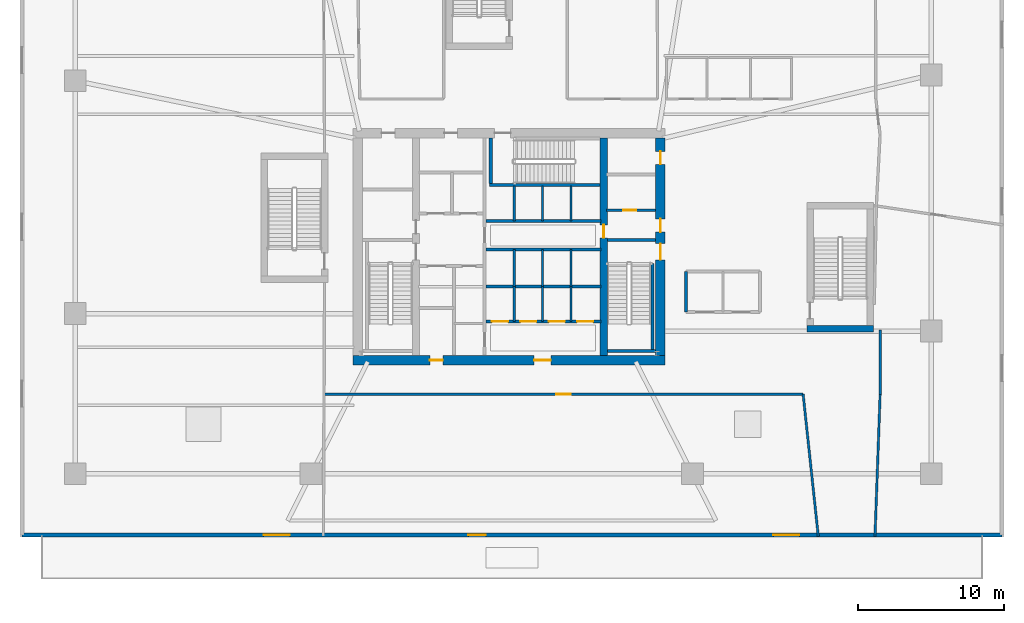
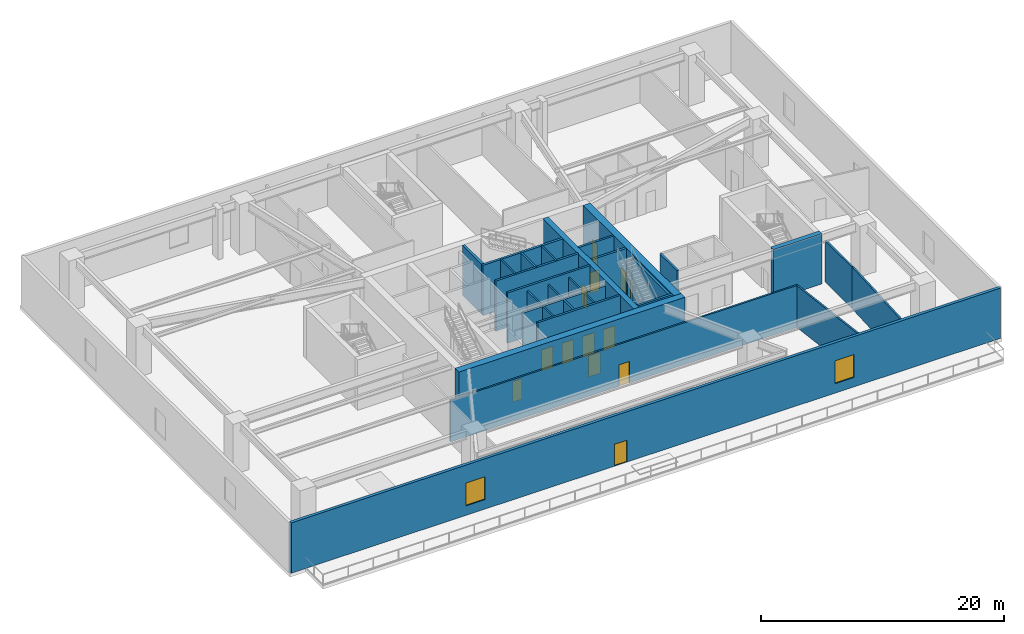
# One storey, part 5 of 11: 29 walls, 13 doors, 2 windows, 15 openings.
"""IFC4 building model written with IfcOpenShell, lengths in metres."""

from ifc_helpers import new_model, si_unit, direction, frame, frame_2d, origin, place, context, subcontext, project, spatial, rectangle, extrude, material, layer, layer_set, type_object, element, fill, save


model = new_model("IFC4")

# Units and contexts
model_context = context("Model", 3, precision=1e-05, world=origin(), true_north=direction((0.0, 1.0)))
body_context = subcontext(model_context, "Body", "Model", "MODEL_VIEW")
ifc_project = project(units=[si_unit("LENGTHUNIT", "METRE"), si_unit("AREAUNIT", "SQUARE_METRE"), si_unit("VOLUMEUNIT", "CUBIC_METRE"), si_unit("PLANEANGLEUNIT", "RADIAN"), si_unit("MASSUNIT", "GRAM", prefix="KILO")], contexts=[model_context])

# Site, building, storey
site_placement = place(None, origin())
site = spatial("IfcSite", under=ifc_project, at=site_placement, CompositionType="ELEMENT")
building_placement = place(site_placement, origin())
building = spatial("IfcBuilding", under=site, at=building_placement, Name="Qarnah Convention Tower", CompositionType="ELEMENT")
storey_placement = place(building_placement, frame((0.0, 0.0, 10.800048828125)))
storey = spatial("IfcBuildingStorey", under=building, at=storey_placement, Name="L02", CompositionType="ELEMENT", Elevation=10.800048828125)

# Wall, openings, doors
ifc_material_1 = material(Name="Concrete C60/75", Category="concrete")
ifc_layer_1 = layer(ifc_material_1, 0.64990234375)
ifc_layer_set_1 = layer_set([ifc_layer_1], Name="Concrete C60/75")
wall_type_1 = type_object("IfcWallType", Name="WL-CORE-650", PredefinedType="SHEAR", material=ifc_layer_set_1)
wall_1_placement = place(storey_placement, frame((26.47509765625, 18.60009765625, 0.0), z_axis=(0.0, 0.0, 1.0), x_axis=(1.0, 0.0, 0.0)))
wall_1 = element("IfcWall", 1, at=wall_1_placement, inside=storey, type_object=wall_type_1, Name="L02 core south shear wall", PredefinedType="SHEAR", context=body_context, shape_type="SweptSolid", body=[
    extrude(rectangle(XDim=21.449951171875, YDim=0.64990234375, at=frame_2d((10.72509765625, 0.0))), origin(), (0.0, 0.0, 1.0), 5.050048828125),
])
opening_1_placement = place(wall_1_placement, frame((12.449951171875, 0.0, 0.0)))
opening_1 = element("IfcOpeningElement", 2, at=opening_1_placement, cuts=wall_1, Name="Opening D-0207", PredefinedType="OPENING", context=body_context, shape_type="SweptSolid", body=[
    extrude(rectangle(XDim=1.14990234375, YDim=2.14990234375, at=frame_2d((0.574951171875, 1.074951171875))), frame((0.0, 0.3349609375, 0.0), z_axis=(0.0, -1.0, 0.0), x_axis=(1.0, 0.0, 0.0)), (0.0, 0.0, 1.0), 0.669921875),
])
opening_2_placement = place(wall_1_placement, frame((5.27490234375, 0.0, 0.0)))
opening_2 = element("IfcOpeningElement", 3, at=opening_2_placement, cuts=wall_1, Name="Opening D-0213", PredefinedType="OPENING", context=body_context, shape_type="SweptSolid", body=[
    extrude(rectangle(XDim=0.89990234375, YDim=2.10009765625, at=frame_2d((0.449951171875, 1.050048828125))), frame((0.0, 0.3349609375, 0.0), z_axis=(0.0, -1.0, 0.0), x_axis=(1.0, 0.0, 0.0)), (0.0, 0.0, 1.0), 0.669921875),
])
ifc_material_2 = material(Name="Structural steel S355JR", Category="steel")
door_type_1 = type_object("IfcDoorType", Name="DT-LOBBY-1150", OperationType="NOTDEFINED", PredefinedType="DOOR", material=ifc_material_2)
door_1_placement = place(opening_1_placement, origin())
door_1 = element("IfcDoor", 4, at=door_1_placement, inside=storey, type_object=door_type_1, Name="Door D-0207", OperationType="SINGLE_SWING_RIGHT", OverallHeight=2.14990234375, OverallWidth=1.14990234375, PredefinedType="DOOR", context=body_context, shape_type="SweptSolid", body=[
    extrude(rectangle(XDim=1.14990234375, YDim=2.14990234375, at=frame_2d((0.574951171875, 1.074951171875))), frame((0.0, 0.02490234375, 0.0), z_axis=(0.0, -1.0, 0.0), x_axis=(1.0, 0.0, 0.0)), (0.0, 0.0, 1.0), 0.050048828125),
])
fill(opening_1, door_1)
door_type_2 = type_object("IfcDoorType", Name="DT-RISER-900", OperationType="NOTDEFINED", PredefinedType="DOOR", material=ifc_material_2)
door_2_placement = place(opening_2_placement, origin())
door_2 = element("IfcDoor", 5, at=door_2_placement, inside=storey, type_object=door_type_2, Name="Door D-0213", OperationType="SINGLE_SWING_RIGHT", OverallHeight=2.10009765625, OverallWidth=0.89990234375, PredefinedType="DOOR", context=body_context, shape_type="SweptSolid", body=[
    extrude(rectangle(XDim=0.89990234375, YDim=2.10009765625, at=frame_2d((0.449951171875, 1.050048828125))), frame((0.0, 0.02490234375, 0.0), z_axis=(0.0, -1.0, 0.0), x_axis=(1.0, 0.0, 0.0)), (0.0, 0.0, 1.0), 0.050048828125),
])
fill(opening_2, door_2)

wall_2_placement = place(storey_placement, frame((47.60009765625, 18.925048828125, 0.0), z_axis=(0.0, 0.0, 1.0), x_axis=(0.0, 1.0, 0.0)))
wall_2 = element("IfcWall", 6, at=wall_2_placement, inside=storey, type_object=wall_type_1, Name="L02 core east shear wall", PredefinedType="SHEAR", context=body_context, shape_type="SweptSolid", body=[
    extrude(rectangle(XDim=14.949951171875, YDim=0.64990234375, at=frame_2d((7.47509765625, 0.0))), origin(), (0.0, 0.0, 1.0), 5.050048828125),
])
opening_3_placement = place(wall_2_placement, frame((6.574951171875, 0.0, 0.0)))
opening_3 = element("IfcOpeningElement", 7, at=opening_3_placement, cuts=wall_2, Name="Opening D-0202", PredefinedType="OPENING", context=body_context, shape_type="SweptSolid", body=[
    extrude(rectangle(XDim=1.10009765625, YDim=2.14990234375, at=frame_2d((0.550048828125, 1.074951171875))), frame((0.0, 0.3349609375, 0.0), z_axis=(0.0, -1.0, 0.0), x_axis=(1.0, 0.0, 0.0)), (0.0, 0.0, 1.0), 0.669921875),
])
opening_4_placement = place(wall_2_placement, frame((8.47509765625, 0.0, 0.0)))
opening_4 = element("IfcOpeningElement", 8, at=opening_4_placement, cuts=wall_2, Name="Opening D-0206", PredefinedType="OPENING", context=body_context, shape_type="SweptSolid", body=[
    extrude(rectangle(XDim=0.89990234375, YDim=2.10009765625, at=frame_2d((0.449951171875, 1.050048828125))), frame((0.0, 0.3349609375, 0.0), z_axis=(0.0, -1.0, 0.0), x_axis=(1.0, 0.0, 0.0)), (0.0, 0.0, 1.0), 0.669921875),
])
opening_5_placement = place(wall_2_placement, frame((13.125, 0.0, 0.0)))
opening_5 = element("IfcOpeningElement", 9, at=opening_5_placement, cuts=wall_2, Name="Opening D-0212", PredefinedType="OPENING", context=body_context, shape_type="SweptSolid", body=[
    extrude(rectangle(XDim=0.89990234375, YDim=2.10009765625, at=frame_2d((0.449951171875, 1.050048828125))), frame((0.0, 0.3349609375, 0.0), z_axis=(0.0, -1.0, 0.0), x_axis=(1.0, 0.0, 0.0)), (0.0, 0.0, 1.0), 0.669921875),
])
door_3_placement = place(opening_4_placement, origin())
door_3 = element("IfcDoor", 10, at=door_3_placement, inside=storey, type_object=door_type_2, Name="Door D-0206", OperationType="SINGLE_SWING_LEFT", OverallHeight=2.10009765625, OverallWidth=0.89990234375, PredefinedType="DOOR", context=body_context, shape_type="SweptSolid", body=[
    extrude(rectangle(XDim=0.89990234375, YDim=2.10009765625, at=frame_2d((0.449951171875, 1.050048828125))), frame((0.0, 0.02490234375, 0.0), z_axis=(0.0, -1.0, 0.0), x_axis=(1.0, 0.0, 0.0)), (0.0, 0.0, 1.0), 0.050048828125),
])
fill(opening_4, door_3)
door_4_placement = place(opening_5_placement, origin())
door_4 = element("IfcDoor", 11, at=door_4_placement, inside=storey, type_object=door_type_2, Name="Door D-0212", OperationType="SINGLE_SWING_LEFT", OverallHeight=2.10009765625, OverallWidth=0.89990234375, PredefinedType="DOOR", context=body_context, shape_type="SweptSolid", body=[
    extrude(rectangle(XDim=0.89990234375, YDim=2.10009765625, at=frame_2d((0.449951171875, 1.050048828125))), frame((0.0, 0.02490234375, 0.0), z_axis=(0.0, -1.0, 0.0), x_axis=(1.0, 0.0, 0.0)), (0.0, 0.0, 1.0), 0.050048828125),
])
fill(opening_5, door_4)
door_type_3 = type_object("IfcDoorType", Name="DT-STAIR-1100", OperationType="NOTDEFINED", PredefinedType="DOOR", material=ifc_material_2)
door_5_placement = place(opening_3_placement, origin())
door_5 = element("IfcDoor", 12, at=door_5_placement, inside=storey, type_object=door_type_3, Name="Door D-0202", OperationType="SINGLE_SWING_LEFT", OverallHeight=2.14990234375, OverallWidth=1.10009765625, PredefinedType="DOOR", context=body_context, shape_type="SweptSolid", body=[
    extrude(rectangle(XDim=1.10009765625, YDim=2.14990234375, at=frame_2d((0.550048828125, 1.074951171875))), frame((0.0, 0.02490234375, 0.0), z_axis=(0.0, -1.0, 0.0), x_axis=(1.0, 0.0, 0.0)), (0.0, 0.0, 1.0), 0.050048828125),
])
fill(opening_3, door_5)

# Wall, opening, door
ifc_layer_2 = layer(ifc_material_1, 0.5)
ifc_layer_set_2 = layer_set([ifc_layer_2], Name="Concrete C60/75")
wall_type_2 = type_object("IfcWallType", Name="WL-CORE-INT-400", PredefinedType="SHEAR", material=ifc_layer_set_2)
wall_3_placement = place(storey_placement, frame((43.699951171875, 18.925048828125, 0.0), z_axis=(0.0, 0.0, 1.0), x_axis=(0.0, 1.0, 0.0)))
wall_3 = element("IfcWall", 13, at=wall_3_placement, inside=storey, type_object=wall_type_2, Name="L02 core east spine shear wall", PredefinedType="SHEAR", context=body_context, shape_type="SweptSolid", body=[
    extrude(rectangle(XDim=14.949951171875, YDim=0.5, at=frame_2d((7.47509765625, 0.0))), origin(), (0.0, 0.0, 1.0), 5.050048828125),
])
opening_6_placement = place(wall_3_placement, frame((8.074951171875, 0.0, 0.0)))
opening_6 = element("IfcOpeningElement", 14, at=opening_6_placement, cuts=wall_3, Name="Opening D-0205", PredefinedType="OPENING", context=body_context, shape_type="SweptSolid", body=[
    extrude(rectangle(XDim=0.89990234375, YDim=2.10009765625, at=frame_2d((0.449951171875, 1.050048828125))), frame((0.0, 0.260009765625, 0.0), z_axis=(0.0, -1.0, 0.0), x_axis=(1.0, 0.0, 0.0)), (0.0, 0.0, 1.0), 0.52001953125),
])
door_6_placement = place(opening_6_placement, origin())
door_6 = element("IfcDoor", 15, at=door_6_placement, inside=storey, type_object=door_type_2, Name="Door D-0205", OperationType="SINGLE_SWING_RIGHT", OverallHeight=2.10009765625, OverallWidth=0.89990234375, PredefinedType="DOOR", context=body_context, shape_type="SweptSolid", body=[
    extrude(rectangle(XDim=0.89990234375, YDim=2.10009765625, at=frame_2d((0.449951171875, 1.050048828125))), frame((0.0, 0.02490234375, 0.0), z_axis=(0.0, -1.0, 0.0), x_axis=(1.0, 0.0, 0.0)), (0.0, 0.0, 1.0), 0.050048828125),
])
fill(opening_6, door_6)

ifc_material_3 = material(Name="Concrete C45/55", Category="concrete")
ifc_layer_3 = layer(ifc_material_3, 0.199951171875)
ifc_layer_set_3 = layer_set([ifc_layer_3], Name="Concrete C45/55")
wall_type_3 = type_object("IfcWallType", Name="WL-CORE-PART-200", PredefinedType="SOLIDWALL", material=ifc_layer_set_3)
wall_4_placement = place(storey_placement, frame((43.89990234375, 28.89990234375, 0.0), z_axis=(0.0, 0.0, 1.0), x_axis=(1.0, 0.0, 0.0)))
wall_4 = element("IfcWall", 16, at=wall_4_placement, inside=storey, type_object=wall_type_3, Name="L02 interior wall IW-L02-EVSTN", PredefinedType="SOLIDWALL", context=body_context, shape_type="SweptSolid", body=[
    extrude(rectangle(XDim=3.35009765625, YDim=0.199951171875, at=frame_2d((1.675048828125, 0.0))), origin(), (0.0, 0.0, 1.0), 5.050048828125),
])
opening_7_placement = place(wall_4_placement, frame((1.14990234375, 0.0, 0.0)))
opening_7 = element("IfcOpeningElement", 17, at=opening_7_placement, cuts=wall_4, Name="Opening D-0211", PredefinedType="OPENING", context=body_context, shape_type="SweptSolid", body=[
    extrude(rectangle(XDim=0.89990234375, YDim=2.10009765625, at=frame_2d((0.449951171875, 1.050048828125))), frame((0.0, 0.10986328125, 0.0), z_axis=(0.0, -1.0, 0.0), x_axis=(1.0, 0.0, 0.0)), (0.0, 0.0, 1.0), 0.219970703125),
])
door_7_placement = place(opening_7_placement, origin())
door_7 = element("IfcDoor", 18, at=door_7_placement, inside=storey, type_object=door_type_2, Name="Door D-0211", OperationType="SINGLE_SWING_RIGHT", OverallHeight=2.10009765625, OverallWidth=0.89990234375, PredefinedType="DOOR", context=body_context, shape_type="SweptSolid", body=[
    extrude(rectangle(XDim=0.89990234375, YDim=2.10009765625, at=frame_2d((0.449951171875, 1.050048828125))), frame((0.0, 0.02490234375, 0.0), z_axis=(0.0, -1.0, 0.0), x_axis=(1.0, 0.0, 0.0)), (0.0, 0.0, 1.0), 0.050048828125),
])
fill(opening_7, door_7)

# Walls
for number, where, z_axis, x_axis, name in (
    (19, (35.6201171875, 28.14990234375, 0.0), (0.0, 0.0, 1.0), (1.0, 0.0, 0.0), "L02 interior wall IW-L02-PHS"),
    (20, (35.6201171875, 26.199951171875, 0.0), (0.0, 0.0, 1.0), (1.0, 0.0, 0.0), "L02 interior wall IW-L02-PMN"),
):
    element("IfcWall", number, at=place(storey_placement, frame(where, z_axis=z_axis, x_axis=x_axis)), inside=storey, type_object=wall_type_3, Name=name, PredefinedType="SOLIDWALL", context=body_context, shape_type="SweptSolid", body=[
        extrude(rectangle(XDim=7.8798828125, YDim=0.199951171875, at=frame_2d((3.93994140625, 0.0))), origin(), (0.0, 0.0, 1.0), 5.050048828125),
    ])
wall_5_placement = place(storey_placement, frame((35.6201171875, 23.64990234375, 0.0), z_axis=(0.0, 0.0, 1.0), x_axis=(1.0, 0.0, 0.0)))
element("IfcWall", 21, at=wall_5_placement, inside=storey, type_object=wall_type_3, Name="L02 interior wall IW-L02-PMPL", PredefinedType="SOLIDWALL", context=body_context, shape_type="SweptSolid", body=[
    extrude(rectangle(XDim=7.8798828125, YDim=0.199951171875, at=frame_2d((3.93994140625, 0.0))), origin(), (0.0, 0.0, 1.0), 4.571044921875),
])

# Wall, openings, doors
wall_6_placement = place(storey_placement, frame((35.6201171875, 21.25, 0.0), z_axis=(0.0, 0.0, 1.0), x_axis=(1.0, 0.0, 0.0)))
wall_6 = element("IfcWall", 22, at=wall_6_placement, inside=storey, type_object=wall_type_3, Name="L02 interior wall IW-L02-PLS", PredefinedType="SOLIDWALL", context=body_context, shape_type="SweptSolid", body=[
    extrude(rectangle(XDim=7.8798828125, YDim=0.199951171875, at=frame_2d((3.93994140625, 0.0))), origin(), (0.0, 0.0, 1.0), 5.050048828125),
])
opening_8_placement = place(wall_6_placement, frame((0.405029296875, 0.0, 0.0)))
opening_8 = element("IfcOpeningElement", 23, at=opening_8_placement, cuts=wall_6, Name="Opening LD-0204", PredefinedType="OPENING", context=body_context, shape_type="SweptSolid", body=[
    extrude(rectangle(XDim=1.10009765625, YDim=2.14990234375, at=frame_2d((0.550048828125, 1.074951171875))), frame((0.0, 0.10986328125, 0.0), z_axis=(0.0, -1.0, 0.0), x_axis=(1.0, 0.0, 0.0)), (0.0, 0.0, 1.0), 0.219970703125),
])
opening_9_placement = place(wall_6_placement, frame((2.35498046875, 0.0, 0.0)))
opening_9 = element("IfcOpeningElement", 24, at=opening_9_placement, cuts=wall_6, Name="Opening LD-0205", PredefinedType="OPENING", context=body_context, shape_type="SweptSolid", body=[
    extrude(rectangle(XDim=1.10009765625, YDim=2.14990234375, at=frame_2d((0.550048828125, 1.074951171875))), frame((0.0, 0.10986328125, 0.0), z_axis=(0.0, -1.0, 0.0), x_axis=(1.0, 0.0, 0.0)), (0.0, 0.0, 1.0), 0.219970703125),
])
opening_10_placement = place(wall_6_placement, frame((4.304931640625, 0.0, 0.0)))
opening_10 = element("IfcOpeningElement", 25, at=opening_10_placement, cuts=wall_6, Name="Opening LD-0206", PredefinedType="OPENING", context=body_context, shape_type="SweptSolid", body=[
    extrude(rectangle(XDim=1.10009765625, YDim=2.14990234375, at=frame_2d((0.550048828125, 1.074951171875))), frame((0.0, 0.10986328125, 0.0), z_axis=(0.0, -1.0, 0.0), x_axis=(1.0, 0.0, 0.0)), (0.0, 0.0, 1.0), 0.219970703125),
])
opening_11_placement = place(wall_6_placement, frame((6.2548828125, 0.0, 0.0)))
opening_11 = element("IfcOpeningElement", 26, at=opening_11_placement, cuts=wall_6, Name="Opening LD-0207", PredefinedType="OPENING", context=body_context, shape_type="SweptSolid", body=[
    extrude(rectangle(XDim=1.10009765625, YDim=2.14990234375, at=frame_2d((0.550048828125, 1.074951171875))), frame((0.0, 0.10986328125, 0.0), z_axis=(0.0, -1.0, 0.0), x_axis=(1.0, 0.0, 0.0)), (0.0, 0.0, 1.0), 0.219970703125),
])
door_type_4 = type_object("IfcDoorType", Name="DT-LIFT-1100", OperationType="SLIDING_TO_LEFT", PredefinedType="DOOR", material=ifc_material_2)
door_8_placement = place(opening_8_placement, origin())
door_8 = element("IfcDoor", 27, at=door_8_placement, inside=storey, type_object=door_type_4, Name="Door LD-0204", OperationType="SLIDING_TO_LEFT", OverallHeight=2.14990234375, OverallWidth=1.10009765625, PredefinedType="DOOR", context=body_context, shape_type="SweptSolid", body=[
    extrude(rectangle(XDim=1.10009765625, YDim=2.14990234375, at=frame_2d((0.550048828125, 1.074951171875))), frame((0.0, 0.02490234375, 0.0), z_axis=(0.0, -1.0, 0.0), x_axis=(1.0, 0.0, 0.0)), (0.0, 0.0, 1.0), 0.050048828125),
])
fill(opening_8, door_8)
door_9_placement = place(opening_9_placement, origin())
door_9 = element("IfcDoor", 28, at=door_9_placement, inside=storey, type_object=door_type_4, Name="Door LD-0205", OperationType="SLIDING_TO_LEFT", OverallHeight=2.14990234375, OverallWidth=1.10009765625, PredefinedType="DOOR", context=body_context, shape_type="SweptSolid", body=[
    extrude(rectangle(XDim=1.10009765625, YDim=2.14990234375, at=frame_2d((0.550048828125, 1.074951171875))), frame((0.0, 0.02490234375, 0.0), z_axis=(0.0, -1.0, 0.0), x_axis=(1.0, 0.0, 0.0)), (0.0, 0.0, 1.0), 0.050048828125),
])
fill(opening_9, door_9)
door_10_placement = place(opening_10_placement, origin())
door_10 = element("IfcDoor", 29, at=door_10_placement, inside=storey, type_object=door_type_4, Name="Door LD-0206", OperationType="SLIDING_TO_LEFT", OverallHeight=2.14990234375, OverallWidth=1.10009765625, PredefinedType="DOOR", context=body_context, shape_type="SweptSolid", body=[
    extrude(rectangle(XDim=1.10009765625, YDim=2.14990234375, at=frame_2d((0.550048828125, 1.074951171875))), frame((0.0, 0.02490234375, 0.0), z_axis=(0.0, -1.0, 0.0), x_axis=(1.0, 0.0, 0.0)), (0.0, 0.0, 1.0), 0.050048828125),
])
fill(opening_10, door_10)
door_11_placement = place(opening_11_placement, origin())
door_11 = element("IfcDoor", 30, at=door_11_placement, inside=storey, type_object=door_type_4, Name="Door LD-0207", OperationType="SLIDING_TO_LEFT", OverallHeight=2.14990234375, OverallWidth=1.10009765625, PredefinedType="DOOR", context=body_context, shape_type="SweptSolid", body=[
    extrude(rectangle(XDim=1.10009765625, YDim=2.14990234375, at=frame_2d((0.550048828125, 1.074951171875))), frame((0.0, 0.02490234375, 0.0), z_axis=(0.0, -1.0, 0.0), x_axis=(1.0, 0.0, 0.0)), (0.0, 0.0, 1.0), 0.050048828125),
])
fill(opening_11, door_11)

# Walls
wall_7_placement = place(storey_placement, frame((49.35009765625, 21.89990234375, 0.0), z_axis=(0.0, 0.0, 1.0), x_axis=(0.0, 1.0, 0.0)))
element("IfcWall", 31, at=wall_7_placement, inside=storey, type_object=wall_type_3, Name="L02 interior wall IW-L02-PSW", PredefinedType="SOLIDWALL", context=body_context, shape_type="SweptSolid", body=[
    extrude(rectangle(XDim=2.800048828125, YDim=0.199951171875, at=frame_2d((1.39990234375, 0.0))), origin(), (0.0, 0.0, 1.0), 5.050048828125),
])
ifc_layer_4 = layer(ifc_material_1, 0.219970703125)
ifc_layer_set_4 = layer_set([ifc_layer_4], Name="Concrete C60/75")
wall_type_4 = type_object("IfcWallType", Name="WL-CORE-STAIR-220", PredefinedType="SHEAR", material=ifc_layer_set_4)
wall_8_placement = place(storey_placement, frame((43.949951171875, 26.860107421875, 0.0), z_axis=(0.0, 0.0, 1.0), x_axis=(1.0, 0.0, 0.0)))
element("IfcWall", 32, at=wall_8_placement, inside=storey, type_object=wall_type_4, Name="L02 stair shaft shear wall SW-L02-ST2N", PredefinedType="SHEAR", context=body_context, shape_type="SweptSolid", body=[
    extrude(rectangle(XDim=3.324951171875, YDim=0.219970703125, at=frame_2d((1.66259765625, 0.0))), origin(), (0.0, 0.0, 1.0), 5.050048828125),
])
wall_9_placement = place(storey_placement, frame((47.06005859375, 19.35009765625, 0.0), z_axis=(0.0, 0.0, 1.0), x_axis=(0.0, 1.0, 0.0)))
element("IfcWall", 33, at=wall_9_placement, inside=storey, type_object=wall_type_4, Name="L02 stair shaft shear wall SW-L02-ST2E", PredefinedType="SHEAR", context=body_context, shape_type="SweptSolid", body=[
    extrude(rectangle(XDim=5.89990234375, YDim=0.219970703125, at=frame_2d((2.949951171875, 0.0))), origin(), (0.0, 0.0, 1.0), 5.050048828125),
])
wall_10_placement = place(storey_placement, frame((43.949951171875, 19.239990234375, 0.0), z_axis=(0.0, 0.0, 1.0), x_axis=(1.0, 0.0, 0.0)))
element("IfcWall", 34, at=wall_10_placement, inside=storey, type_object=wall_type_4, Name="L02 stair shaft shear wall SW-L02-ST2S", PredefinedType="SHEAR", context=body_context, shape_type="SweptSolid", body=[
    extrude(rectangle(XDim=3.324951171875, YDim=0.219970703125, at=frame_2d((1.66259765625, 0.0))), origin(), (0.0, 0.0, 1.0), 5.050048828125),
])
wall_11_placement = place(storey_placement, frame((35.840087890625, 30.639892578125, 0.0), z_axis=(0.0, 0.0, 1.0), x_axis=(1.0, 0.0, 0.0)))
element("IfcWall", 35, at=wall_11_placement, inside=storey, type_object=wall_type_4, Name="L02 stair shaft shear wall SW-L02-ST3S", PredefinedType="SHEAR", context=body_context, shape_type="SweptSolid", body=[
    extrude(rectangle(XDim=7.60986328125, YDim=0.219970703125, at=frame_2d((3.804931640625, 0.0))), origin(), (0.0, 0.0, 1.0), 5.050048828125),
])
wall_12_placement = place(storey_placement, frame((35.93994140625, 30.75, 0.0), z_axis=(0.0, 0.0, 1.0), x_axis=(0.0, 1.0, 0.0)))
element("IfcWall", 36, at=wall_12_placement, inside=storey, type_object=wall_type_4, Name="L02 stair shaft shear wall SW-L02-ST3W", PredefinedType="SHEAR", context=body_context, shape_type="SweptSolid", body=[
    extrude(rectangle(XDim=3.125, YDim=0.219970703125, at=frame_2d((1.5625, 0.0))), origin(), (0.0, 0.0, 1.0), 5.050048828125),
])
ifc_material_4 = material(Name="Gypsum partition board")
ifc_layer_5 = layer(ifc_material_4, 0.159912109375)
ifc_layer_set_5 = layer_set([ifc_layer_5], Name="Gypsum partition board")
wall_type_5 = type_object("IfcWallType", Name="WL-CORR-160", PredefinedType="PARTITIONING", material=ifc_layer_set_5)
wall_13_placement = place(storey_placement, frame((58.44189453125, 6.5048828125, 0.0), z_axis=(0.0, 0.0, 1.0), x_axis=(-0.106210644154, 0.9943436524, 0.0)))
element("IfcWall", 37, at=wall_13_placement, inside=storey, type_object=wall_type_5, Name="L02 interior wall IW-L02-R-13", PredefinedType="PARTITIONING", context=body_context, shape_type="SweptSolid", body=[
    extrude(rectangle(XDim=9.810546875, YDim=0.159912109375, at=frame_2d((4.9052734375, 0.0))), origin(), (0.0, 0.0, 1.0), 4.19091796875),
])

# Wall, opening, door
wall_14_placement = place(storey_placement, frame((57.39990234375, 16.260009765625, 0.0), z_axis=(0.0, 0.0, 1.0), x_axis=(-0.99999999956, 2.967205e-05, 0.0)))
wall_14 = element("IfcWall", 38, at=wall_14_placement, inside=storey, type_object=wall_type_5, Name="L02 interior wall IW-L02-R-14", PredefinedType="PARTITIONING", context=body_context, shape_type="SweptSolid", body=[
    extrude(rectangle(XDim=32.911865234375, YDim=0.159912109375, at=frame_2d((16.4560546875, 0.0))), origin(), (0.0, 0.0, 1.0), 4.202880859375),
])
opening_12_placement = place(wall_14_placement, frame((15.9560546875, 0.0, 0.0)))
opening_12 = element("IfcOpeningElement", 39, at=opening_12_placement, cuts=wall_14, Name="Opening D-0223", PredefinedType="OPENING", context=body_context, shape_type="SweptSolid", body=[
    extrude(rectangle(XDim=1.0, YDim=2.14990234375, at=frame_2d((0.5, 1.074951171875))), frame((0.0, 0.08984375, 0.0), z_axis=(0.0, -1.0, 0.0), x_axis=(1.0, 0.0, 0.0)), (0.0, 0.0, 1.0), 0.179931640625),
])
ifc_material_5 = material(Name="Oak timber veneer", Category="wood")
door_type_5 = type_object("IfcDoorType", Name="DT-OFFICE-1000", OperationType="NOTDEFINED", PredefinedType="DOOR", material=ifc_material_5)
door_12_placement = place(opening_12_placement, origin())
door_12 = element("IfcDoor", 40, at=door_12_placement, inside=storey, type_object=door_type_5, Name="Door D-0223", OperationType="SINGLE_SWING_LEFT", OverallHeight=2.14990234375, OverallWidth=1.0, PredefinedType="DOOR", context=body_context, shape_type="SweptSolid", body=[
    extrude(rectangle(XDim=1.0, YDim=2.14990234375, at=frame_2d((0.5, 1.074951171875))), frame((0.0, 0.02490234375, 0.0), z_axis=(0.0, -1.0, 0.0), x_axis=(1.0, 0.0, 0.0)), (0.0, 0.0, 1.0), 0.050048828125),
])
fill(opening_12, door_12)

# Walls
wall_15_placement = place(storey_placement, frame((62.68994140625, 20.68994140625, 0.0), z_axis=(0.0, 0.0, 1.0), x_axis=(0.0, -1.0, 0.0)))
element("IfcWall", 41, at=wall_15_placement, inside=storey, type_object=wall_type_5, Name="L02 interior wall IW-L02-R-17", PredefinedType="PARTITIONING", context=body_context, shape_type="SweptSolid", body=[
    extrude(rectangle(XDim=4.429931640625, YDim=0.159912109375, at=frame_2d((2.21484375, 0.0))), origin(), (0.0, 0.0, 1.0), 4.135009765625),
])
wall_16_placement = place(storey_placement, frame((62.68994140625, 16.260009765625, 0.0), z_axis=(0.0, 0.0, 1.0), x_axis=(-0.036147159792, -0.999346477874, 0.0)))
element("IfcWall", 42, at=wall_16_placement, inside=storey, type_object=wall_type_5, Name="L02 interior wall IW-L02-R-18", PredefinedType="PARTITIONING", context=body_context, shape_type="SweptSolid", body=[
    extrude(rectangle(XDim=9.766357421875, YDim=0.159912109375, at=frame_2d((4.88330078125, 0.0))), origin(), (0.0, 0.0, 1.0), 4.19091796875),
])

# Wall, openings, door, windows
ifc_material_6 = material(Name="Precast concrete C45/55", Category="concrete")
ifc_layer_6 = layer(ifc_material_6, 0.280029296875)
ifc_layer_set_6 = layer_set([ifc_layer_6], Name="Precast concrete C45/55")
wall_type_6 = type_object("IfcWallType", Name="WL-EXT-POD-280", PredefinedType="SOLIDWALL", material=ifc_layer_set_6)
wall_17_placement = place(storey_placement, frame((71.06005859375, 6.590087890625, 0.0), z_axis=(0.0, 0.0, 1.0), x_axis=(-1.0, 0.0, 0.0)))
wall_17 = element("IfcWall", 43, at=wall_17_placement, inside=storey, type_object=wall_type_6, Name="L02 precast facade wall S", PredefinedType="SOLIDWALL", context=body_context, shape_type="SweptSolid", body=[
    extrude(rectangle(XDim=67.320068359375, YDim=0.280029296875, at=frame_2d((33.66015625, 0.0))), origin(), (0.0, 0.0, 1.0), 5.050048828125),
])
opening_13_placement = place(wall_17_placement, frame((13.909912109375, 0.0, 0.949951171875)))
opening_13 = element("IfcOpeningElement", 44, at=opening_13_placement, cuts=wall_17, Name="Opening WN2", PredefinedType="OPENING", context=body_context, shape_type="SweptSolid", body=[
    extrude(rectangle(XDim=1.800048828125, YDim=2.300048828125, at=frame_2d((0.89990234375, 1.14990234375))), frame((0.0, 0.14990234375, 0.0), z_axis=(0.0, -1.0, 0.0), x_axis=(1.0, 0.0, 0.0)), (0.0, 0.0, 1.0), 0.300048828125),
])
opening_14_placement = place(wall_17_placement, frame((48.9169921875, 0.0, 0.949951171875)))
opening_14 = element("IfcOpeningElement", 45, at=opening_14_placement, cuts=wall_17, Name="Opening WN2", PredefinedType="OPENING", context=body_context, shape_type="SweptSolid", body=[
    extrude(rectangle(XDim=1.800048828125, YDim=2.300048828125, at=frame_2d((0.89990234375, 1.14990234375))), frame((0.0, 0.14990234375, 0.0), z_axis=(0.0, -1.0, 0.0), x_axis=(1.0, 0.0, 0.0)), (0.0, 0.0, 1.0), 0.300048828125),
])
opening_15_placement = place(wall_17_placement, frame((35.4599609375, 0.0, 0.0)))
opening_15 = element("IfcOpeningElement", 46, at=opening_15_placement, cuts=wall_17, Name="Opening TD-0201", PredefinedType="OPENING", context=body_context, shape_type="SweptSolid", body=[
    extrude(rectangle(XDim=1.199951171875, YDim=2.199951171875, at=frame_2d((0.60009765625, 1.10009765625))), frame((0.0, 0.14990234375, 0.0), z_axis=(0.0, -1.0, 0.0), x_axis=(1.0, 0.0, 0.0)), (0.0, 0.0, 1.0), 0.300048828125),
])
ifc_material_7 = material(Name="Black anodised aluminium", Category="aluminium")
door_type_6 = type_object("IfcDoorType", Name="DT-TER-1200", OperationType="NOTDEFINED", PredefinedType="DOOR", material=ifc_material_7)
door_13_placement = place(opening_15_placement, origin())
door_13 = element("IfcDoor", 47, at=door_13_placement, inside=storey, type_object=door_type_6, Name="L02 podium terrace access door", OperationType="SINGLE_SWING_RIGHT", OverallHeight=2.199951171875, OverallWidth=1.199951171875, PredefinedType="DOOR", context=body_context, shape_type="SweptSolid", body=[
    extrude(rectangle(XDim=1.199951171875, YDim=2.199951171875, at=frame_2d((0.60009765625, 1.10009765625))), frame((0.0, 0.02490234375, 0.0), z_axis=(0.0, -1.0, 0.0), x_axis=(1.0, 0.0, 0.0)), (0.0, 0.0, 1.0), 0.050048828125),
])
fill(opening_15, door_13)
ifc_material_8 = material(Name="Tempered Low-E dark glass", Category="glass")
window_type = type_object("IfcWindowType", Name="WT-POD-1800X2400", PartitioningType="SINGLE_PANEL", PredefinedType="WINDOW", material=ifc_material_8)
window_1_placement = place(opening_13_placement, origin())
window_1 = element("IfcWindow", 48, at=window_1_placement, inside=storey, type_object=window_type, Name="Window WIN-L02-S1", OverallHeight=2.300048828125, OverallWidth=1.800048828125, PartitioningType="SINGLE_PANEL", PredefinedType="WINDOW", context=body_context, shape_type="SweptSolid", body=[
    extrude(rectangle(XDim=1.800048828125, YDim=2.300048828125, at=frame_2d((0.89990234375, 1.14990234375))), frame((0.0, 0.030029296875, 0.0), z_axis=(0.0, -1.0, 0.0), x_axis=(1.0, 0.0, 0.0)), (0.0, 0.0, 1.0), 0.06005859375),
])
fill(opening_13, window_1)
window_2_placement = place(opening_14_placement, origin())
window_2 = element("IfcWindow", 49, at=window_2_placement, inside=storey, type_object=window_type, Name="Window WIN-L02-S3", OverallHeight=2.300048828125, OverallWidth=1.800048828125, PartitioningType="SINGLE_PANEL", PredefinedType="WINDOW", context=body_context, shape_type="SweptSolid", body=[
    extrude(rectangle(XDim=1.800048828125, YDim=2.300048828125, at=frame_2d((0.89990234375, 1.14990234375))), frame((0.0, 0.030029296875, 0.0), z_axis=(0.0, -1.0, 0.0), x_axis=(1.0, 0.0, 0.0)), (0.0, 0.0, 1.0), 0.06005859375),
])
fill(opening_14, window_2)

# Walls
ifc_layer_7 = layer(ifc_material_1, 0.449951171875)
ifc_layer_set_7 = layer_set([ifc_layer_7], Name="Concrete C60/75")
wall_type_7 = type_object("IfcWallType", Name="WL-POD-CORE-450", PredefinedType="SHEAR", material=ifc_layer_set_7)
wall_18_placement = place(storey_placement, frame((57.64990234375, 20.77490234375, 0.0), z_axis=(0.0, 0.0, 1.0), x_axis=(1.0, 0.0, 0.0)))
element("IfcWall", 50, at=wall_18_placement, inside=storey, type_object=wall_type_7, Name="L02 podium stair ST-4 south wall", PredefinedType="SHEAR", context=body_context, shape_type="SweptSolid", body=[
    extrude(rectangle(XDim=4.60009765625, YDim=0.449951171875, at=frame_2d((2.300048828125, 0.0))), origin(), (0.0, 0.0, 1.0), 5.050048828125),
])
ifc_layer_8 = layer(ifc_material_4, 0.14990234375)
ifc_layer_set_8 = layer_set([ifc_layer_8], Name="Gypsum partition board")
wall_type_8 = type_object("IfcWallType", Name="WL-SUITE-150", PredefinedType="PARTITIONING", material=ifc_layer_set_8)
for number, where, z_axis, x_axis, name in (
    (51, (37.550048828125, 28.14990234375, 0.0), (0.0, 0.0, 1.0), (0.0, 1.0, 0.0), "L02 interior wall IW-L02-PHD1"),
    (52, (39.5, 28.14990234375, 0.0), (0.0, 0.0, 1.0), (0.0, 1.0, 0.0), "L02 interior wall IW-L02-PHD2"),
    (53, (41.449951171875, 28.14990234375, 0.0), (0.0, 0.0, 1.0), (0.0, 1.0, 0.0), "L02 interior wall IW-L02-PHD3"),
):
    element("IfcWall", number, at=place(storey_placement, frame(where, z_axis=z_axis, x_axis=x_axis)), inside=storey, type_object=wall_type_8, Name=name, PredefinedType="PARTITIONING", context=body_context, shape_type="SweptSolid", body=[
        extrude(rectangle(XDim=2.43017578125, YDim=0.14990234375, at=frame_2d((1.215087890625, 0.0))), origin(), (0.0, 0.0, 1.0), 5.050048828125),
    ])
for number, where, z_axis, x_axis, name in (
    (54, (37.550048828125, 23.64990234375, 0.0), (0.0, 0.0, 1.0), (0.0, 1.0, 0.0), "L02 interior wall IW-L02-PMD1"),
    (55, (39.5, 23.64990234375, 0.0), (0.0, 0.0, 1.0), (0.0, 1.0, 0.0), "L02 interior wall IW-L02-PMD2"),
    (56, (41.449951171875, 23.64990234375, 0.0), (0.0, 0.0, 1.0), (0.0, 1.0, 0.0), "L02 interior wall IW-L02-PMD3"),
):
    element("IfcWall", number, at=place(storey_placement, frame(where, z_axis=z_axis, x_axis=x_axis)), inside=storey, type_object=wall_type_8, Name=name, PredefinedType="PARTITIONING", context=body_context, shape_type="SweptSolid", body=[
        extrude(rectangle(XDim=2.550048828125, YDim=0.14990234375, at=frame_2d((1.27490234375, 0.0))), origin(), (0.0, 0.0, 1.0), 4.571044921875),
    ])
for number, where, z_axis, x_axis, name in (
    (57, (37.550048828125, 21.25, 0.0), (0.0, 0.0, 1.0), (0.0, 1.0, 0.0), "L02 interior wall IW-L02-PLD1"),
    (58, (39.5, 21.25, 0.0), (0.0, 0.0, 1.0), (0.0, 1.0, 0.0), "L02 interior wall IW-L02-PLD2"),
    (59, (41.449951171875, 21.25, 0.0), (0.0, 0.0, 1.0), (0.0, 1.0, 0.0), "L02 interior wall IW-L02-PLD3"),
):
    element("IfcWall", number, at=place(storey_placement, frame(where, z_axis=z_axis, x_axis=x_axis)), inside=storey, type_object=wall_type_8, Name=name, PredefinedType="PARTITIONING", context=body_context, shape_type="SweptSolid", body=[
        extrude(rectangle(XDim=2.39990234375, YDim=0.14990234375, at=frame_2d((1.199951171875, 0.0))), origin(), (0.0, 0.0, 1.0), 4.571044921875),
    ])

save(model, "model.ifc")
